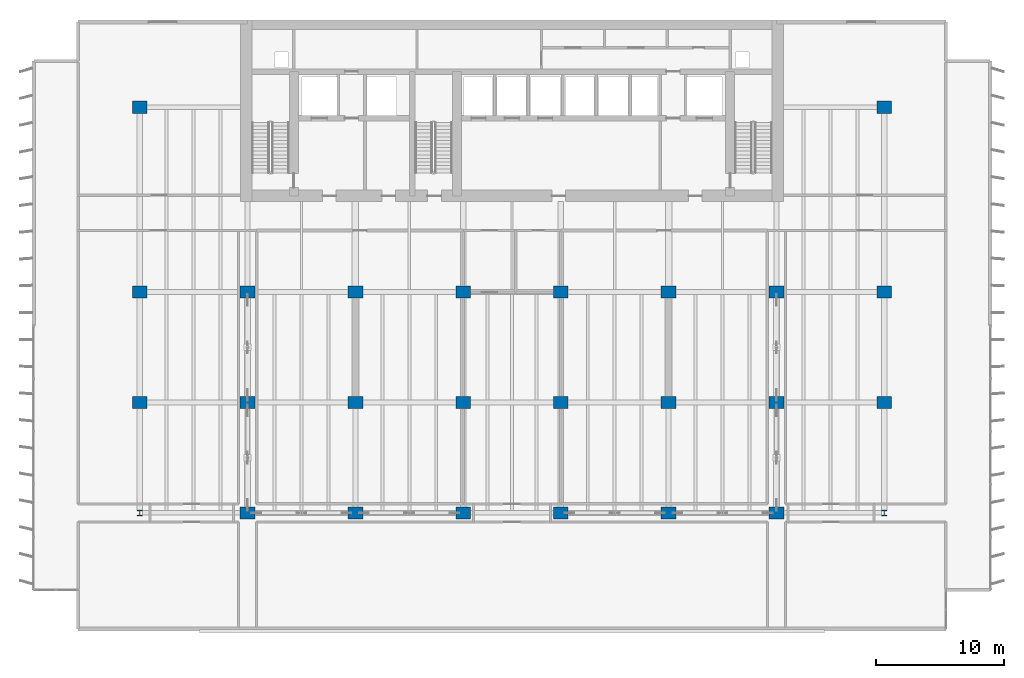
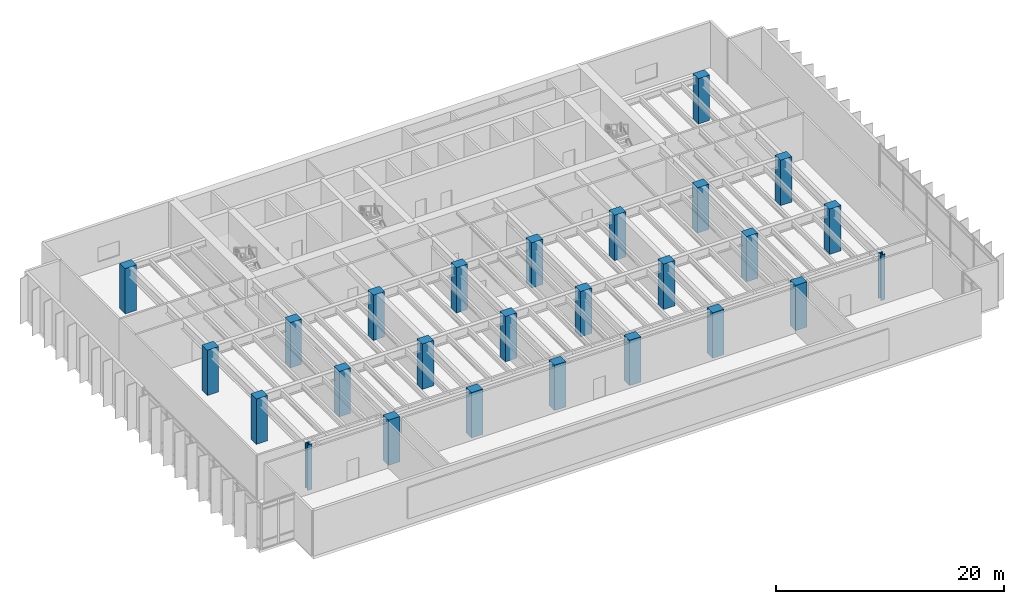
# One storey, part 1 of 21: 26 columns.
"""IFC4 building model written with IfcOpenShell, lengths in metres."""

from ifc_helpers import new_model, si_unit, direction, frame, origin, origin_2d, place, context, subcontext, project, spatial, rectangle, i_section, extrude, material, material_profile, profile_set, type_object, element, save


model = new_model("IFC4")

# Units and contexts
model_context = context("Model", 3, precision=1e-05, world=origin(), true_north=direction((0.0, 1.0)))
body_context = subcontext(model_context, "Body", "Model", "MODEL_VIEW")
ifc_project = project(units=[si_unit("LENGTHUNIT", "METRE"), si_unit("AREAUNIT", "SQUARE_METRE"), si_unit("VOLUMEUNIT", "CUBIC_METRE"), si_unit("PLANEANGLEUNIT", "RADIAN"), si_unit("MASSUNIT", "GRAM", prefix="KILO")], contexts=[model_context])

# Site, building, storey
site_placement = place(None, origin())
site = spatial("IfcSite", under=ifc_project, at=site_placement, CompositionType="ELEMENT")
building_placement = place(site_placement, origin())
building = spatial("IfcBuilding", under=site, at=building_placement, Name="Caelmar Bay Residences", CompositionType="ELEMENT")
storey_placement = place(building_placement, frame((0.0, 0.0, 79.5)))
storey = spatial("IfcBuildingStorey", under=building, at=storey_placement, Name="L21", CompositionType="ELEMENT", Elevation=79.5)

# Columns
ifc_material_1 = material(Name="Concrete f'c 70 MPa (10,000 psi)", Category="concrete")
ifc_material_profile_1 = material_profile(ifc_material_1, rectangle(XDim=1.14990234375, YDim=0.949951171875, at=origin_2d()), Name="RC-COL-1150X950")
ifc_profile_set_1 = profile_set([ifc_material_profile_1], Name="Concrete f'c 70 MPa (10,000 psi)")
column_type_1 = type_object("IfcColumnType", Name="COL-RC-1150X950", PredefinedType="COLUMN", material=ifc_profile_set_1)
for number, where, z_axis, x_axis, name in (
    (1, (18.300048828125, 12.199951171875, 0.0), (0.0, 0.0, 1.0), (1.0, 0.0, 0.0), "L21 Column (18.30,12.20)"),
    (2, (26.699951171875, 12.199951171875, 0.0), (0.0, 0.0, 1.0), (1.0, 0.0, 0.0), "L21 Column (26.70,12.20)"),
    (3, (35.10009765625, 12.199951171875, 0.0), (0.0, 0.0, 1.0), (1.0, 0.0, 0.0), "L21 Column (35.10,12.20)"),
    (4, (42.699951171875, 12.199951171875, 0.0), (0.0, 0.0, 1.0), (1.0, 0.0, 0.0), "L21 Column (42.70,12.20)"),
    (5, (51.10009765625, 12.199951171875, 0.0), (0.0, 0.0, 1.0), (1.0, 0.0, 0.0), "L21 Column (51.10,12.20)"),
    (6, (59.5, 12.199951171875, 0.0), (0.0, 0.0, 1.0), (1.0, 0.0, 0.0), "L21 Column (59.50,12.20)"),
    (7, (9.89990234375, 20.800048828125, 0.0), (0.0, 0.0, 1.0), (1.0, 0.0, 0.0), "L21 Column (9.90,20.80)"),
    (8, (18.300048828125, 20.800048828125, 0.0), (0.0, 0.0, 1.0), (1.0, 0.0, 0.0), "L21 Column (18.30,20.80)"),
    (9, (26.699951171875, 20.800048828125, 0.0), (0.0, 0.0, 1.0), (1.0, 0.0, 0.0), "L21 Column (26.70,20.80)"),
    (10, (35.10009765625, 20.800048828125, 0.0), (0.0, 0.0, 1.0), (1.0, 0.0, 0.0), "L21 Column (35.10,20.80)"),
    (11, (42.699951171875, 20.800048828125, 0.0), (0.0, 0.0, 1.0), (1.0, 0.0, 0.0), "L21 Column (42.70,20.80)"),
    (12, (51.10009765625, 20.800048828125, 0.0), (0.0, 0.0, 1.0), (1.0, 0.0, 0.0), "L21 Column (51.10,20.80)"),
    (13, (59.5, 20.800048828125, 0.0), (0.0, 0.0, 1.0), (1.0, 0.0, 0.0), "L21 Column (59.50,20.80)"),
    (14, (67.89990234375, 20.800048828125, 0.0), (0.0, 0.0, 1.0), (1.0, 0.0, 0.0), "L21 Column (67.90,20.80)"),
    (15, (9.89990234375, 29.39990234375, 0.0), (0.0, 0.0, 1.0), (1.0, 0.0, 0.0), "L21 Column (9.90,29.40)"),
    (16, (18.300048828125, 29.39990234375, 0.0), (0.0, 0.0, 1.0), (1.0, 0.0, 0.0), "L21 Column (18.30,29.40)"),
    (17, (26.699951171875, 29.39990234375, 0.0), (0.0, 0.0, 1.0), (1.0, 0.0, 0.0), "L21 Column (26.70,29.40)"),
    (18, (35.10009765625, 29.39990234375, 0.0), (0.0, 0.0, 1.0), (1.0, 0.0, 0.0), "L21 Column (35.10,29.40)"),
    (19, (42.699951171875, 29.39990234375, 0.0), (0.0, 0.0, 1.0), (1.0, 0.0, 0.0), "L21 Column (42.70,29.40)"),
    (20, (51.10009765625, 29.39990234375, 0.0), (0.0, 0.0, 1.0), (1.0, 0.0, 0.0), "L21 Column (51.10,29.40)"),
    (21, (59.5, 29.39990234375, 0.0), (0.0, 0.0, 1.0), (1.0, 0.0, 0.0), "L21 Column (59.50,29.40)"),
    (22, (67.89990234375, 29.39990234375, 0.0), (0.0, 0.0, 1.0), (1.0, 0.0, 0.0), "L21 Column (67.90,29.40)"),
    (23, (9.89990234375, 43.800048828125, 0.0), (0.0, 0.0, 1.0), (1.0, 0.0, 0.0), "L21 Column (9.90,43.80)"),
    (24, (67.89990234375, 43.800048828125, 0.0), (0.0, 0.0, 1.0), (1.0, 0.0, 0.0), "L21 Column (67.90,43.80)"),
):
    element("IfcColumn", number, at=place(storey_placement, frame(where, z_axis=z_axis, x_axis=x_axis)), inside=storey, type_object=column_type_1, Name=name, PredefinedType="COLUMN", context=body_context, shape_type="SweptSolid", body=[
        extrude(rectangle(XDim=1.14990234375, YDim=0.949951171875, at=origin_2d()), origin(), (0.0, 0.0, 1.0), 4.85009765625),
    ])
ifc_material_2 = material(Name="Steel ASTM A992 Grade 50", Category="steel")
ifc_material_profile_2 = material_profile(ifc_material_2, i_section(OverallWidth=0.424072265625, OverallDepth=0.47509765625, WebThickness=0.047607421875, FlangeThickness=0.0771484375, FilletRadius=0.01513671875, at=origin_2d()), Name="W14X426")
ifc_profile_set_2 = profile_set([ifc_material_profile_2], Name="Steel ASTM A992 Grade 50")
column_type_2 = type_object("IfcColumnType", Name="COL-STL-W14X426", PredefinedType="COLUMN", material=ifc_profile_set_2)
for number, where, z_axis, x_axis, name in (
    (25, (9.89990234375, 12.199951171875, 0.0), (0.0, 0.0, 1.0), (1.0, 0.0, 0.0), "L21 Column (9.90,12.20)"),
    (26, (67.89990234375, 12.199951171875, 0.0), (0.0, 0.0, 1.0), (1.0, 0.0, 0.0), "L21 Column (67.90,12.20)"),
):
    element("IfcColumn", number, at=place(storey_placement, frame(where, z_axis=z_axis, x_axis=x_axis)), inside=storey, type_object=column_type_2, Name=name, PredefinedType="COLUMN", context=body_context, shape_type="SweptSolid", body=[
        extrude(i_section(OverallWidth=0.424072265625, OverallDepth=0.47509765625, WebThickness=0.047607421875, FlangeThickness=0.0771484375, FilletRadius=0.01513671875, at=origin_2d()), origin(), (0.0, 0.0, 1.0), 4.85009765625),
    ])

save(model, "model.ifc")
